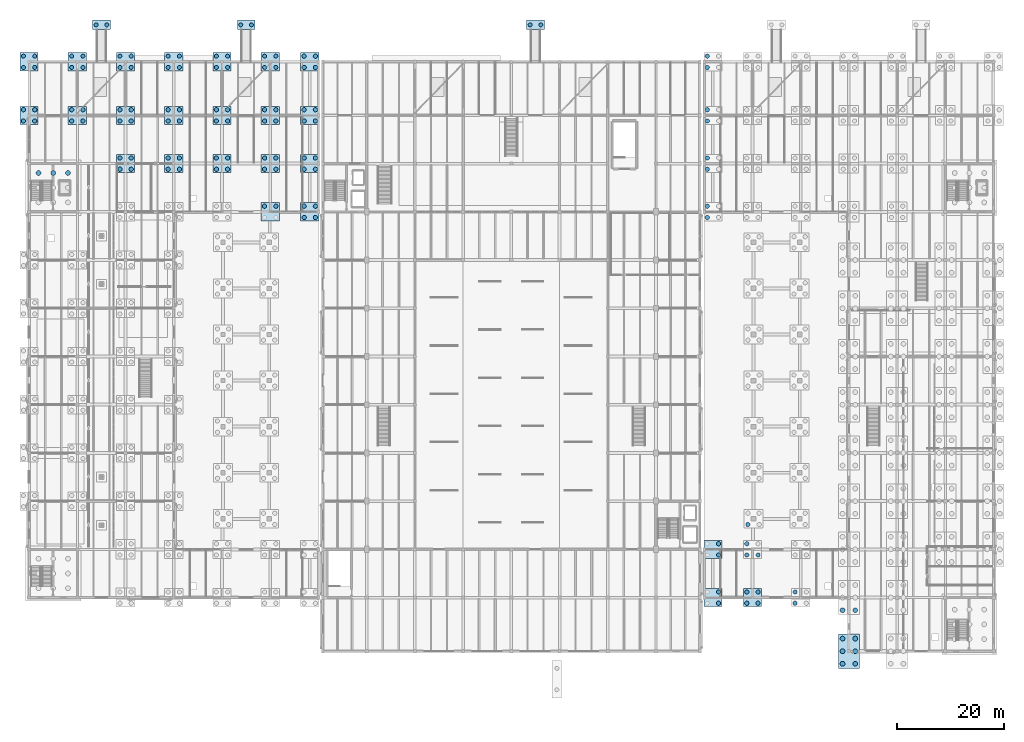
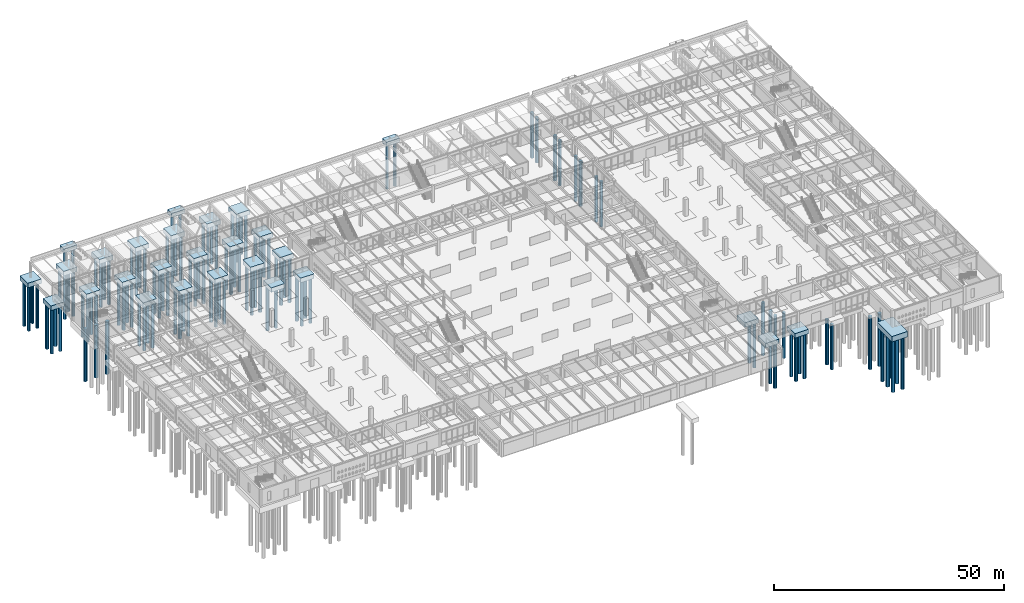
# One storey, part 3 of 186: 121 piles, 28 footings.
"""IFC4 building model written with IfcOpenShell, lengths in metres."""

from ifc_helpers import new_model, si_unit, direction, frame, origin, origin_2d, place, context, subcontext, project, spatial, polyline, circle, outline, extrude, material, layer, layer_set, material_profile, profile_set, type_object, element, save


model = new_model("IFC4")

# Units and contexts
model_context = context("Model", 3, precision=1e-05, world=origin(), true_north=direction((0.0, 1.0)))
body_context = subcontext(model_context, "Body", "Model", "MODEL_VIEW")
ifc_project = project(units=[si_unit("LENGTHUNIT", "METRE"), si_unit("AREAUNIT", "SQUARE_METRE"), si_unit("VOLUMEUNIT", "CUBIC_METRE"), si_unit("PLANEANGLEUNIT", "RADIAN"), si_unit("MASSUNIT", "GRAM", prefix="KILO")], contexts=[model_context])

# Site, building, storey
site_placement = place(None, origin())
site = spatial("IfcSite", under=ifc_project, at=site_placement, CompositionType="ELEMENT")
building_placement = place(site_placement, origin())
building = spatial("IfcBuilding", under=site, at=building_placement, Name="Ornek Quay Market", CompositionType="ELEMENT")
storey_placement = place(building_placement, origin())
storey = spatial("IfcBuildingStorey", under=building, at=storey_placement, Name="L00", CompositionType="ELEMENT", Elevation=0.0)

# Footings
ifc_material = material(Name="Concrete C35/45", Category="concrete")
ifc_layer_1 = layer(ifc_material, 1.10009765625, Name="Concrete C35/45", Category="concrete")
ifc_layer_set_1 = layer_set([ifc_layer_1], Name="Concrete C35/45")
footing_type_1 = type_object("IfcFootingType", Name="FT-PC2-3300x1800x1100", PredefinedType="PILE_CAP", material=ifc_layer_set_1)
footing_1_placement = place(storey_placement, frame((0.0, 0.0, -1.39990234375)))
element("IfcFooting", 1, at=footing_1_placement, inside=storey, type_object=footing_type_1, Name="Ramp abutment cap PRF-01", PredefinedType="PILE_CAP", context=body_context, shape_type="SweptSolid", body=[
    extrude(outline(polyline([(11.85009765625, 126.0), (15.14990234375, 126.0), (15.14990234375, 127.800048828125), (11.85009765625, 127.800048828125), (11.85009765625, 126.0)])), origin(), (0.0, 0.0, 1.0), 1.099853515625),
])
footing_2_placement = place(storey_placement, frame((0.0, 0.0, -1.39990234375)))
element("IfcFooting", 2, at=footing_2_placement, inside=storey, type_object=footing_type_1, Name="Ramp abutment cap PRF-02", PredefinedType="PILE_CAP", context=body_context, shape_type="SweptSolid", body=[
    extrude(outline(polyline([(38.85009765625, 126.0), (42.14990234375, 126.0), (42.14990234375, 127.800048828125), (38.85009765625, 127.800048828125), (38.85009765625, 126.0)])), origin(), (0.0, 0.0, 1.0), 1.099853515625),
])
footing_3_placement = place(storey_placement, frame((0.0, 0.0, -1.39990234375)))
element("IfcFooting", 3, at=footing_3_placement, inside=storey, type_object=footing_type_1, Name="Ramp abutment cap PRF-03", PredefinedType="PILE_CAP", context=body_context, shape_type="SweptSolid", body=[
    extrude(outline(polyline([(92.85009765625, 126.0), (96.14990234375, 126.0), (96.14990234375, 127.800048828125), (92.85009765625, 127.800048828125), (92.85009765625, 126.0)])), origin(), (0.0, 0.0, 1.0), 1.099853515625),
])
ifc_layer_2 = layer(ifc_material, 1.199951171875, Name="Concrete C35/45", Category="concrete")
ifc_layer_set_2 = layer_set([ifc_layer_2], Name="Concrete C35/45")
footing_type_2 = type_object("IfcFootingType", Name="FT-PC4-2800x2800x1200", PredefinedType="PILE_CAP", material=ifc_layer_set_2)
footing_4_placement = place(storey_placement, frame((0.0, 0.0, -1.199951171875)))
element("IfcFooting", 4, at=footing_4_placement, inside=storey, type_object=footing_type_2, Name="Pile cap FC-013", PredefinedType="PILE_CAP", context=body_context, shape_type="SweptSolid", body=[
    extrude(outline(polyline([(-1.699951171875, 108.300048828125), (1.699951171875, 108.300048828125), (1.699951171875, 111.699951171875), (-1.699951171875, 111.699951171875), (-1.699951171875, 108.300048828125)])), origin(), (0.0, 0.0, 1.0), 1.199951171875),
])
footing_5_placement = place(storey_placement, frame((0.0, 0.0, -1.199951171875)))
element("IfcFooting", 5, at=footing_5_placement, inside=storey, type_object=footing_type_2, Name="Pile cap FC-014", PredefinedType="PILE_CAP", context=body_context, shape_type="SweptSolid", body=[
    extrude(outline(polyline([(-1.699951171875, 118.300048828125), (1.699951171875, 118.300048828125), (1.699951171875, 121.699951171875), (-1.699951171875, 121.699951171875), (-1.699951171875, 118.300048828125)])), origin(), (0.0, 0.0, 1.0), 1.199951171875),
])
footing_6_placement = place(storey_placement, frame((0.0, 0.0, -1.199951171875)))
element("IfcFooting", 6, at=footing_6_placement, inside=storey, type_object=footing_type_2, Name="Pile cap FC-021", PredefinedType="PILE_CAP", context=body_context, shape_type="SweptSolid", body=[
    extrude(outline(polyline([(7.300048828125, 108.300048828125), (10.699951171875, 108.300048828125), (10.699951171875, 111.699951171875), (7.300048828125, 111.699951171875), (7.300048828125, 108.300048828125)])), origin(), (0.0, 0.0, 1.0), 1.199951171875),
])
footing_7_placement = place(storey_placement, frame((0.0, 0.0, -1.199951171875)))
element("IfcFooting", 7, at=footing_7_placement, inside=storey, type_object=footing_type_2, Name="Pile cap FC-022", PredefinedType="PILE_CAP", context=body_context, shape_type="SweptSolid", body=[
    extrude(outline(polyline([(7.300048828125, 118.300048828125), (10.699951171875, 118.300048828125), (10.699951171875, 121.699951171875), (7.300048828125, 121.699951171875), (7.300048828125, 118.300048828125)])), origin(), (0.0, 0.0, 1.0), 1.199951171875),
])
footing_8_placement = place(storey_placement, frame((0.0, 0.0, -1.199951171875)))
element("IfcFooting", 8, at=footing_8_placement, inside=storey, type_object=footing_type_2, Name="Pile cap FC-032", PredefinedType="PILE_CAP", context=body_context, shape_type="SweptSolid", body=[
    extrude(outline(polyline([(16.300048828125, 99.300048828125), (19.699951171875, 99.300048828125), (19.699951171875, 102.699951171875), (16.300048828125, 102.699951171875), (16.300048828125, 99.300048828125)])), origin(), (0.0, 0.0, 1.0), 1.199951171875),
])
footing_9_placement = place(storey_placement, frame((0.0, 0.0, -1.199951171875)))
element("IfcFooting", 9, at=footing_9_placement, inside=storey, type_object=footing_type_2, Name="Pile cap FC-033", PredefinedType="PILE_CAP", context=body_context, shape_type="SweptSolid", body=[
    extrude(outline(polyline([(16.300048828125, 108.300048828125), (19.699951171875, 108.300048828125), (19.699951171875, 111.699951171875), (16.300048828125, 111.699951171875), (16.300048828125, 108.300048828125)])), origin(), (0.0, 0.0, 1.0), 1.199951171875),
])
footing_10_placement = place(storey_placement, frame((0.0, 0.0, -1.199951171875)))
element("IfcFooting", 10, at=footing_10_placement, inside=storey, type_object=footing_type_2, Name="Pile cap FC-034", PredefinedType="PILE_CAP", context=body_context, shape_type="SweptSolid", body=[
    extrude(outline(polyline([(16.300048828125, 118.300048828125), (19.699951171875, 118.300048828125), (19.699951171875, 121.699951171875), (16.300048828125, 121.699951171875), (16.300048828125, 118.300048828125)])), origin(), (0.0, 0.0, 1.0), 1.199951171875),
])
footing_11_placement = place(storey_placement, frame((0.0, 0.0, -1.199951171875)))
element("IfcFooting", 11, at=footing_11_placement, inside=storey, type_object=footing_type_2, Name="Pile cap FC-044", PredefinedType="PILE_CAP", context=body_context, shape_type="SweptSolid", body=[
    extrude(outline(polyline([(25.300048828125, 99.300048828125), (28.699951171875, 99.300048828125), (28.699951171875, 102.699951171875), (25.300048828125, 102.699951171875), (25.300048828125, 99.300048828125)])), origin(), (0.0, 0.0, 1.0), 1.199951171875),
])
footing_12_placement = place(storey_placement, frame((0.0, 0.0, -1.199951171875)))
element("IfcFooting", 12, at=footing_12_placement, inside=storey, type_object=footing_type_2, Name="Pile cap FC-045", PredefinedType="PILE_CAP", context=body_context, shape_type="SweptSolid", body=[
    extrude(outline(polyline([(25.300048828125, 108.300048828125), (28.699951171875, 108.300048828125), (28.699951171875, 111.699951171875), (25.300048828125, 111.699951171875), (25.300048828125, 108.300048828125)])), origin(), (0.0, 0.0, 1.0), 1.199951171875),
])
footing_13_placement = place(storey_placement, frame((0.0, 0.0, -1.199951171875)))
element("IfcFooting", 13, at=footing_13_placement, inside=storey, type_object=footing_type_2, Name="Pile cap FC-046", PredefinedType="PILE_CAP", context=body_context, shape_type="SweptSolid", body=[
    extrude(outline(polyline([(25.300048828125, 118.300048828125), (28.699951171875, 118.300048828125), (28.699951171875, 121.699951171875), (25.300048828125, 121.699951171875), (25.300048828125, 118.300048828125)])), origin(), (0.0, 0.0, 1.0), 1.199951171875),
])
footing_14_placement = place(storey_placement, frame((0.0, 0.0, -1.199951171875)))
element("IfcFooting", 14, at=footing_14_placement, inside=storey, type_object=footing_type_2, Name="Pile cap FC-050", PredefinedType="PILE_CAP", context=body_context, shape_type="SweptSolid", body=[
    extrude(outline(polyline([(34.300048828125, 99.300048828125), (37.699951171875, 99.300048828125), (37.699951171875, 102.699951171875), (34.300048828125, 102.699951171875), (34.300048828125, 99.300048828125)])), origin(), (0.0, 0.0, 1.0), 1.199951171875),
])
footing_15_placement = place(storey_placement, frame((0.0, 0.0, -1.199951171875)))
element("IfcFooting", 15, at=footing_15_placement, inside=storey, type_object=footing_type_2, Name="Pile cap FC-051", PredefinedType="PILE_CAP", context=body_context, shape_type="SweptSolid", body=[
    extrude(outline(polyline([(34.300048828125, 108.300048828125), (37.699951171875, 108.300048828125), (37.699951171875, 111.699951171875), (34.300048828125, 111.699951171875), (34.300048828125, 108.300048828125)])), origin(), (0.0, 0.0, 1.0), 1.199951171875),
])
footing_16_placement = place(storey_placement, frame((0.0, 0.0, -1.199951171875)))
element("IfcFooting", 16, at=footing_16_placement, inside=storey, type_object=footing_type_2, Name="Pile cap FC-052", PredefinedType="PILE_CAP", context=body_context, shape_type="SweptSolid", body=[
    extrude(outline(polyline([(34.300048828125, 118.300048828125), (37.699951171875, 118.300048828125), (37.699951171875, 121.699951171875), (34.300048828125, 121.699951171875), (34.300048828125, 118.300048828125)])), origin(), (0.0, 0.0, 1.0), 1.199951171875),
])
footing_17_placement = place(storey_placement, frame((0.0, 0.0, -1.199951171875)))
element("IfcFooting", 17, at=footing_17_placement, inside=storey, type_object=footing_type_2, Name="Pile cap FC-055", PredefinedType="PILE_CAP", context=body_context, shape_type="SweptSolid", body=[
    extrude(outline(polyline([(43.300048828125, 90.300048828125), (46.699951171875, 90.300048828125), (46.699951171875, 93.699951171875), (43.300048828125, 93.699951171875), (43.300048828125, 90.300048828125)])), origin(), (0.0, 0.0, 1.0), 1.199951171875),
])
footing_18_placement = place(storey_placement, frame((0.0, 0.0, -1.199951171875)))
element("IfcFooting", 18, at=footing_18_placement, inside=storey, type_object=footing_type_2, Name="Pile cap FC-056", PredefinedType="PILE_CAP", context=body_context, shape_type="SweptSolid", body=[
    extrude(outline(polyline([(43.300048828125, 99.300048828125), (46.699951171875, 99.300048828125), (46.699951171875, 102.699951171875), (43.300048828125, 102.699951171875), (43.300048828125, 99.300048828125)])), origin(), (0.0, 0.0, 1.0), 1.199951171875),
])
footing_19_placement = place(storey_placement, frame((0.0, 0.0, -1.199951171875)))
element("IfcFooting", 19, at=footing_19_placement, inside=storey, type_object=footing_type_2, Name="Pile cap FC-057", PredefinedType="PILE_CAP", context=body_context, shape_type="SweptSolid", body=[
    extrude(outline(polyline([(43.300048828125, 108.300048828125), (46.699951171875, 108.300048828125), (46.699951171875, 111.699951171875), (43.300048828125, 111.699951171875), (43.300048828125, 108.300048828125)])), origin(), (0.0, 0.0, 1.0), 1.199951171875),
])
footing_20_placement = place(storey_placement, frame((0.0, 0.0, -1.199951171875)))
element("IfcFooting", 20, at=footing_20_placement, inside=storey, type_object=footing_type_2, Name="Pile cap FC-058", PredefinedType="PILE_CAP", context=body_context, shape_type="SweptSolid", body=[
    extrude(outline(polyline([(43.300048828125, 118.300048828125), (46.699951171875, 118.300048828125), (46.699951171875, 121.699951171875), (43.300048828125, 121.699951171875), (43.300048828125, 118.300048828125)])), origin(), (0.0, 0.0, 1.0), 1.199951171875),
])
footing_21_placement = place(storey_placement, frame((0.0, 0.0, -1.199951171875)))
element("IfcFooting", 21, at=footing_21_placement, inside=storey, type_object=footing_type_2, Name="Pile cap FC-061", PredefinedType="PILE_CAP", context=body_context, shape_type="SweptSolid", body=[
    extrude(outline(polyline([(50.679931640625, 90.300048828125), (54.080078125, 90.300048828125), (54.080078125, 93.699951171875), (50.679931640625, 93.699951171875), (50.679931640625, 90.300048828125)])), origin(), (0.0, 0.0, 1.0), 1.199951171875),
])
footing_22_placement = place(storey_placement, frame((0.0, 0.0, -1.199951171875)))
element("IfcFooting", 22, at=footing_22_placement, inside=storey, type_object=footing_type_2, Name="Pile cap FC-062", PredefinedType="PILE_CAP", context=body_context, shape_type="SweptSolid", body=[
    extrude(outline(polyline([(50.679931640625, 99.300048828125), (54.080078125, 99.300048828125), (54.080078125, 102.699951171875), (50.679931640625, 102.699951171875), (50.679931640625, 99.300048828125)])), origin(), (0.0, 0.0, 1.0), 1.199951171875),
])
footing_23_placement = place(storey_placement, frame((0.0, 0.0, -1.199951171875)))
element("IfcFooting", 23, at=footing_23_placement, inside=storey, type_object=footing_type_2, Name="Pile cap FC-063", PredefinedType="PILE_CAP", context=body_context, shape_type="SweptSolid", body=[
    extrude(outline(polyline([(50.679931640625, 108.300048828125), (54.080078125, 108.300048828125), (54.080078125, 111.699951171875), (50.679931640625, 111.699951171875), (50.679931640625, 108.300048828125)])), origin(), (0.0, 0.0, 1.0), 1.199951171875),
])
footing_24_placement = place(storey_placement, frame((0.0, 0.0, -1.199951171875)))
element("IfcFooting", 24, at=footing_24_placement, inside=storey, type_object=footing_type_2, Name="Pile cap FC-064", PredefinedType="PILE_CAP", context=body_context, shape_type="SweptSolid", body=[
    extrude(outline(polyline([(50.679931640625, 118.300048828125), (54.080078125, 118.300048828125), (54.080078125, 121.699951171875), (50.679931640625, 121.699951171875), (50.679931640625, 118.300048828125)])), origin(), (0.0, 0.0, 1.0), 1.199951171875),
])
footing_25_placement = place(storey_placement, frame((0.0, 0.0, -1.199951171875)))
element("IfcFooting", 25, at=footing_25_placement, inside=storey, type_object=footing_type_2, Name="Pile cap FC-174", PredefinedType="PILE_CAP", context=body_context, shape_type="SweptSolid", body=[
    extrude(outline(polyline([(125.919921875, 18.300048828125), (129.320068359375, 18.300048828125), (129.320068359375, 21.699951171875), (125.919921875, 21.699951171875), (125.919921875, 18.300048828125)])), origin(), (0.0, 0.0, 1.0), 1.199951171875),
])
footing_26_placement = place(storey_placement, frame((0.0, 0.0, -1.199951171875)))
element("IfcFooting", 26, at=footing_26_placement, inside=storey, type_object=footing_type_2, Name="Pile cap FC-175", PredefinedType="PILE_CAP", context=body_context, shape_type="SweptSolid", body=[
    extrude(outline(polyline([(125.919921875, 27.300048828125), (129.320068359375, 27.300048828125), (129.320068359375, 30.699951171875), (125.919921875, 30.699951171875), (125.919921875, 27.300048828125)])), origin(), (0.0, 0.0, 1.0), 1.199951171875),
])
footing_27_placement = place(storey_placement, frame((0.0, 0.0, -1.199951171875)))
element("IfcFooting", 27, at=footing_27_placement, inside=storey, type_object=footing_type_2, Name="Pile cap FC-180", PredefinedType="PILE_CAP", context=body_context, shape_type="SweptSolid", body=[
    extrude(outline(polyline([(133.300048828125, 18.300048828125), (136.699951171875, 18.300048828125), (136.699951171875, 21.699951171875), (133.300048828125, 21.699951171875), (133.300048828125, 18.300048828125)])), origin(), (0.0, 0.0, 1.0), 1.199951171875),
])
ifc_layer_3 = layer(ifc_material, 1.449951171875, Name="Concrete C35/45", Category="concrete")
ifc_layer_set_3 = layer_set([ifc_layer_3], Name="Concrete C35/45")
footing_type_3 = type_object("IfcFootingType", Name="FT-PC6-3200x4600x1450", PredefinedType="PILE_CAP", material=ifc_layer_set_3)
footing_28_placement = place(storey_placement, frame((0.0, 0.0, -1.449951171875)))
element("IfcFooting", 28, at=footing_28_placement, inside=storey, type_object=footing_type_3, Name="Pile cap FC-192", PredefinedType="PILE_CAP", context=body_context, shape_type="SweptSolid", body=[
    extrude(outline(polyline([(151.050048828125, 6.800048828125), (154.949951171875, 6.800048828125), (154.949951171875, 13.199951171875), (151.050048828125, 13.199951171875), (151.050048828125, 6.800048828125)])), origin(), (0.0, 0.0, 1.0), 1.449951171875),
])

# Piles
ifc_material_profile_1 = material_profile(ifc_material, circle(Radius=0.39990234375, at=origin_2d()), Name="PILE D800", Category="concrete")
ifc_profile_set_1 = profile_set([ifc_material_profile_1], Name="Concrete C35/45")
pile_type_1 = type_object("IfcPileType", Name="PL-BOR-D800-L12", PredefinedType="BORED", material=ifc_profile_set_1)
for number, where, z_axis, x_axis, name in (
    (29, (-1.050048828125, 108.949951171875, -1.10009765625), (0.0, 0.0, -1.0), (1.0, 0.0, 0.0), "Bored pile P-0079"),
    (30, (1.050048828125, 108.949951171875, -1.10009765625), (0.0, 0.0, -1.0), (1.0, 0.0, 0.0), "Bored pile P-0080"),
    (31, (-1.050048828125, 111.050048828125, -1.10009765625), (0.0, 0.0, -1.0), (1.0, 0.0, 0.0), "Bored pile P-0081"),
    (32, (1.050048828125, 111.050048828125, -1.10009765625), (0.0, 0.0, -1.0), (1.0, 0.0, 0.0), "Bored pile P-0082"),
    (33, (7.949951171875, 108.949951171875, -1.10009765625), (0.0, 0.0, -1.0), (1.0, 0.0, 0.0), "Bored pile P-0111"),
    (34, (10.050048828125, 108.949951171875, -1.10009765625), (0.0, 0.0, -1.0), (1.0, 0.0, 0.0), "Bored pile P-0112"),
    (35, (7.949951171875, 111.050048828125, -1.10009765625), (0.0, 0.0, -1.0), (1.0, 0.0, 0.0), "Bored pile P-0113"),
    (36, (10.050048828125, 111.050048828125, -1.10009765625), (0.0, 0.0, -1.0), (1.0, 0.0, 0.0), "Bored pile P-0114"),
    (37, (16.949951171875, 99.949951171875, -1.10009765625), (0.0, 0.0, -1.0), (1.0, 0.0, 0.0), "Bored pile P-0155"),
    (38, (19.050048828125, 99.949951171875, -1.10009765625), (0.0, 0.0, -1.0), (1.0, 0.0, 0.0), "Bored pile P-0156"),
    (39, (16.949951171875, 102.050048828125, -1.10009765625), (0.0, 0.0, -1.0), (1.0, 0.0, 0.0), "Bored pile P-0157"),
    (40, (19.050048828125, 102.050048828125, -1.10009765625), (0.0, 0.0, -1.0), (1.0, 0.0, 0.0), "Bored pile P-0158"),
    (41, (16.949951171875, 108.949951171875, -1.10009765625), (0.0, 0.0, -1.0), (1.0, 0.0, 0.0), "Bored pile P-0159"),
    (42, (19.050048828125, 108.949951171875, -1.10009765625), (0.0, 0.0, -1.0), (1.0, 0.0, 0.0), "Bored pile P-0160"),
    (43, (16.949951171875, 111.050048828125, -1.10009765625), (0.0, 0.0, -1.0), (1.0, 0.0, 0.0), "Bored pile P-0161"),
    (44, (19.050048828125, 111.050048828125, -1.10009765625), (0.0, 0.0, -1.0), (1.0, 0.0, 0.0), "Bored pile P-0162"),
    (45, (25.949951171875, 99.949951171875, -1.10009765625), (0.0, 0.0, -1.0), (1.0, 0.0, 0.0), "Bored pile P-0203"),
    (46, (28.050048828125, 99.949951171875, -1.10009765625), (0.0, 0.0, -1.0), (1.0, 0.0, 0.0), "Bored pile P-0204"),
    (47, (25.949951171875, 102.050048828125, -1.10009765625), (0.0, 0.0, -1.0), (1.0, 0.0, 0.0), "Bored pile P-0205"),
    (48, (28.050048828125, 102.050048828125, -1.10009765625), (0.0, 0.0, -1.0), (1.0, 0.0, 0.0), "Bored pile P-0206"),
    (49, (25.949951171875, 108.949951171875, -1.10009765625), (0.0, 0.0, -1.0), (1.0, 0.0, 0.0), "Bored pile P-0207"),
    (50, (28.050048828125, 108.949951171875, -1.10009765625), (0.0, 0.0, -1.0), (1.0, 0.0, 0.0), "Bored pile P-0208"),
    (51, (25.949951171875, 111.050048828125, -1.10009765625), (0.0, 0.0, -1.0), (1.0, 0.0, 0.0), "Bored pile P-0209"),
    (52, (28.050048828125, 111.050048828125, -1.10009765625), (0.0, 0.0, -1.0), (1.0, 0.0, 0.0), "Bored pile P-0210"),
    (53, (34.949951171875, 99.949951171875, -1.10009765625), (0.0, 0.0, -1.0), (1.0, 0.0, 0.0), "Bored pile P-0227"),
    (54, (37.050048828125, 99.949951171875, -1.10009765625), (0.0, 0.0, -1.0), (1.0, 0.0, 0.0), "Bored pile P-0228"),
    (55, (34.949951171875, 102.050048828125, -1.10009765625), (0.0, 0.0, -1.0), (1.0, 0.0, 0.0), "Bored pile P-0229"),
    (56, (37.050048828125, 102.050048828125, -1.10009765625), (0.0, 0.0, -1.0), (1.0, 0.0, 0.0), "Bored pile P-0230"),
    (57, (34.949951171875, 108.949951171875, -1.10009765625), (0.0, 0.0, -1.0), (1.0, 0.0, 0.0), "Bored pile P-0231"),
    (58, (37.050048828125, 108.949951171875, -1.10009765625), (0.0, 0.0, -1.0), (1.0, 0.0, 0.0), "Bored pile P-0232"),
    (59, (34.949951171875, 111.050048828125, -1.10009765625), (0.0, 0.0, -1.0), (1.0, 0.0, 0.0), "Bored pile P-0233"),
    (60, (37.050048828125, 111.050048828125, -1.10009765625), (0.0, 0.0, -1.0), (1.0, 0.0, 0.0), "Bored pile P-0234"),
    (61, (43.949951171875, 93.050048828125, -1.10009765625), (0.0, 0.0, -1.0), (1.0, 0.0, 0.0), "Bored pile P-0249"),
    (62, (46.050048828125, 93.050048828125, -1.10009765625), (0.0, 0.0, -1.0), (1.0, 0.0, 0.0), "Bored pile P-0250"),
    (63, (43.949951171875, 99.949951171875, -1.10009765625), (0.0, 0.0, -1.0), (1.0, 0.0, 0.0), "Bored pile P-0251"),
    (64, (46.050048828125, 99.949951171875, -1.10009765625), (0.0, 0.0, -1.0), (1.0, 0.0, 0.0), "Bored pile P-0252"),
    (65, (43.949951171875, 102.050048828125, -1.10009765625), (0.0, 0.0, -1.0), (1.0, 0.0, 0.0), "Bored pile P-0253"),
    (66, (46.050048828125, 102.050048828125, -1.10009765625), (0.0, 0.0, -1.0), (1.0, 0.0, 0.0), "Bored pile P-0254"),
    (67, (43.949951171875, 108.949951171875, -1.10009765625), (0.0, 0.0, -1.0), (1.0, 0.0, 0.0), "Bored pile P-0255"),
    (68, (46.050048828125, 108.949951171875, -1.10009765625), (0.0, 0.0, -1.0), (1.0, 0.0, 0.0), "Bored pile P-0256"),
    (69, (43.949951171875, 111.050048828125, -1.10009765625), (0.0, 0.0, -1.0), (1.0, 0.0, 0.0), "Bored pile P-0257"),
    (70, (46.050048828125, 111.050048828125, -1.10009765625), (0.0, 0.0, -1.0), (1.0, 0.0, 0.0), "Bored pile P-0258"),
    (71, (51.330078125, 90.949951171875, -1.10009765625), (0.0, 0.0, -1.0), (1.0, 0.0, 0.0), "Bored pile P-0271"),
    (72, (53.429931640625, 90.949951171875, -1.10009765625), (0.0, 0.0, -1.0), (1.0, 0.0, 0.0), "Bored pile P-0272"),
    (73, (51.330078125, 93.050048828125, -1.10009765625), (0.0, 0.0, -1.0), (1.0, 0.0, 0.0), "Bored pile P-0273"),
    (74, (53.429931640625, 93.050048828125, -1.10009765625), (0.0, 0.0, -1.0), (1.0, 0.0, 0.0), "Bored pile P-0274"),
    (75, (51.330078125, 99.949951171875, -1.10009765625), (0.0, 0.0, -1.0), (1.0, 0.0, 0.0), "Bored pile P-0275"),
    (76, (53.429931640625, 99.949951171875, -1.10009765625), (0.0, 0.0, -1.0), (1.0, 0.0, 0.0), "Bored pile P-0276"),
    (77, (51.330078125, 102.050048828125, -1.10009765625), (0.0, 0.0, -1.0), (1.0, 0.0, 0.0), "Bored pile P-0277"),
    (78, (53.429931640625, 102.050048828125, -1.10009765625), (0.0, 0.0, -1.0), (1.0, 0.0, 0.0), "Bored pile P-0278"),
    (79, (51.330078125, 108.949951171875, -1.10009765625), (0.0, 0.0, -1.0), (1.0, 0.0, 0.0), "Bored pile P-0279"),
    (80, (53.429931640625, 108.949951171875, -1.10009765625), (0.0, 0.0, -1.0), (1.0, 0.0, 0.0), "Bored pile P-0280"),
    (81, (51.330078125, 111.050048828125, -1.10009765625), (0.0, 0.0, -1.0), (1.0, 0.0, 0.0), "Bored pile P-0281"),
    (82, (53.429931640625, 111.050048828125, -1.10009765625), (0.0, 0.0, -1.0), (1.0, 0.0, 0.0), "Bored pile P-0282"),
    (83, (51.330078125, 118.949951171875, -1.10009765625), (0.0, 0.0, -1.0), (1.0, 0.0, 0.0), "Bored pile P-0283"),
    (84, (53.429931640625, 118.949951171875, -1.10009765625), (0.0, 0.0, -1.0), (1.0, 0.0, 0.0), "Bored pile P-0284"),
    (85, (51.330078125, 121.050048828125, -1.10009765625), (0.0, 0.0, -1.0), (1.0, 0.0, 0.0), "Bored pile P-0285"),
    (86, (53.429931640625, 121.050048828125, -1.10009765625), (0.0, 0.0, -1.0), (1.0, 0.0, 0.0), "Bored pile P-0286"),
    (87, (128.669921875, 18.949951171875, -1.10009765625), (0.0, 0.0, -1.0), (1.0, 0.0, 0.0), "Bored pile P-0764"),
    (88, (128.669921875, 21.050048828125, -1.10009765625), (0.0, 0.0, -1.0), (1.0, 0.0, 0.0), "Bored pile P-0766"),
    (89, (128.669921875, 27.949951171875, -1.10009765625), (0.0, 0.0, -1.0), (1.0, 0.0, 0.0), "Bored pile P-0768"),
    (90, (128.669921875, 30.050048828125, -1.10009765625), (0.0, 0.0, -1.0), (1.0, 0.0, 0.0), "Bored pile P-0770"),
    (91, (126.570068359375, 90.949951171875, -1.10009765625), (0.0, 0.0, -1.0), (1.0, 0.0, 0.0), "Bored pile P-0771"),
    (92, (126.570068359375, 93.050048828125, -1.10009765625), (0.0, 0.0, -1.0), (1.0, 0.0, 0.0), "Bored pile P-0773"),
    (93, (126.570068359375, 99.949951171875, -1.10009765625), (0.0, 0.0, -1.0), (1.0, 0.0, 0.0), "Bored pile P-0775"),
    (94, (126.570068359375, 102.050048828125, -1.10009765625), (0.0, 0.0, -1.0), (1.0, 0.0, 0.0), "Bored pile P-0777"),
    (95, (126.570068359375, 108.949951171875, -1.10009765625), (0.0, 0.0, -1.0), (1.0, 0.0, 0.0), "Bored pile P-0779"),
    (96, (126.570068359375, 111.050048828125, -1.10009765625), (0.0, 0.0, -1.0), (1.0, 0.0, 0.0), "Bored pile P-0781"),
    (97, (126.570068359375, 118.949951171875, -1.10009765625), (0.0, 0.0, -1.0), (1.0, 0.0, 0.0), "Bored pile P-0783"),
    (98, (126.570068359375, 121.050048828125, -1.10009765625), (0.0, 0.0, -1.0), (1.0, 0.0, 0.0), "Bored pile P-0785"),
    (99, (133.949951171875, 18.949951171875, -1.10009765625), (0.0, 0.0, -1.0), (1.0, 0.0, 0.0), "Bored pile P-0787"),
    (100, (136.050048828125, 18.949951171875, -1.10009765625), (0.0, 0.0, -1.0), (1.0, 0.0, 0.0), "Bored pile P-0788"),
    (101, (133.949951171875, 21.050048828125, -1.10009765625), (0.0, 0.0, -1.0), (1.0, 0.0, 0.0), "Bored pile P-0789"),
    (102, (136.050048828125, 21.050048828125, -1.10009765625), (0.0, 0.0, -1.0), (1.0, 0.0, 0.0), "Bored pile P-0790"),
    (103, (133.949951171875, 27.949951171875, -1.10009765625), (0.0, 0.0, -1.0), (1.0, 0.0, 0.0), "Bored pile P-0791"),
    (104, (136.050048828125, 27.949951171875, -1.10009765625), (0.0, 0.0, -1.0), (1.0, 0.0, 0.0), "Bored pile P-0792"),
    (105, (133.949951171875, 30.050048828125, -1.10009765625), (0.0, 0.0, -1.0), (1.0, 0.0, 0.0), "Bored pile P-0793"),
    (106, (142.949951171875, 18.949951171875, -1.10009765625), (0.0, 0.0, -1.0), (1.0, 0.0, 0.0), "Bored pile P-0811"),
    (107, (142.949951171875, 21.050048828125, -1.10009765625), (0.0, 0.0, -1.0), (1.0, 0.0, 0.0), "Bored pile P-0813"),
):
    element("IfcPile", number, at=place(storey_placement, frame(where, z_axis=z_axis, x_axis=x_axis)), inside=storey, type_object=pile_type_1, Name=name, PredefinedType="BORED", context=body_context, shape_type="SweptSolid", body=[
        extrude(circle(Radius=0.39990234375, at=origin_2d()), origin(), (0.0, 0.0, 1.0), 12.0),
    ])
ifc_material_profile_2 = material_profile(ifc_material, circle(Radius=0.39990234375, at=origin_2d()), Name="PILE D800", Category="concrete")
ifc_profile_set_2 = profile_set([ifc_material_profile_2], Name="Concrete C35/45")
pile_type_2 = type_object("IfcPileType", Name="PL-BOR-D800-L14", PredefinedType="BORED", material=ifc_profile_set_2)
pile_placement = place(storey_placement, frame((134.14990234375, 33.64990234375, -1.199951171875), z_axis=(0.0, 0.0, -1.0), x_axis=(1.0, 0.0, 0.0)))
element("IfcPile", 108, at=pile_placement, inside=storey, type_object=pile_type_2, Name="Bored pile P-1131", PredefinedType="BORED", context=body_context, shape_type="SweptSolid", body=[
    extrude(circle(Radius=0.39990234375, at=origin_2d()), origin(), (0.0, 0.0, 1.0), 14.0),
])
ifc_material_profile_3 = material_profile(ifc_material, circle(Radius=0.449951171875, at=origin_2d()), Name="PILE D900", Category="concrete")
ifc_profile_set_3 = profile_set([ifc_material_profile_3], Name="Concrete C35/45")
pile_type_3 = type_object("IfcPileType", Name="PL-BOR-D900-L14", PredefinedType="BORED", material=ifc_profile_set_3)
for number, where, z_axis, x_axis, name in (
    (109, (1.75, 99.25, -1.5), (0.0, 0.0, -1.0), (1.0, 0.0, 0.0), "Bored pile P-0003"),
    (110, (4.5, 99.25, -1.5), (0.0, 0.0, -1.0), (1.0, 0.0, 0.0), "Bored pile P-0006"),
    (111, (7.25, 99.25, -1.5), (0.0, 0.0, -1.0), (1.0, 0.0, 0.0), "Bored pile P-0009"),
    (112, (151.820068359375, 7.64990234375, -1.35009765625), (0.0, 0.0, -1.0), (1.0, 0.0, 0.0), "Bored pile P-0835"),
    (113, (154.179931640625, 7.64990234375, -1.35009765625), (0.0, 0.0, -1.0), (1.0, 0.0, 0.0), "Bored pile P-0836"),
    (114, (151.820068359375, 10.0, -1.35009765625), (0.0, 0.0, -1.0), (1.0, 0.0, 0.0), "Bored pile P-0837"),
    (115, (154.179931640625, 10.0, -1.35009765625), (0.0, 0.0, -1.0), (1.0, 0.0, 0.0), "Bored pile P-0838"),
    (116, (151.820068359375, 12.35009765625, -1.35009765625), (0.0, 0.0, -1.0), (1.0, 0.0, 0.0), "Bored pile P-0839"),
    (117, (154.179931640625, 12.35009765625, -1.35009765625), (0.0, 0.0, -1.0), (1.0, 0.0, 0.0), "Bored pile P-0840"),
    (118, (151.820068359375, 17.64990234375, -1.35009765625), (0.0, 0.0, -1.0), (1.0, 0.0, 0.0), "Bored pile P-0841"),
    (119, (154.179931640625, 17.64990234375, -1.35009765625), (0.0, 0.0, -1.0), (1.0, 0.0, 0.0), "Bored pile P-0842"),
):
    element("IfcPile", number, at=place(storey_placement, frame(where, z_axis=z_axis, x_axis=x_axis)), inside=storey, type_object=pile_type_3, Name=name, PredefinedType="BORED", context=body_context, shape_type="SweptSolid", body=[
        extrude(circle(Radius=0.449951171875, at=origin_2d()), origin(), (0.0, 0.0, 1.0), 14.0),
    ])
ifc_material_profile_4 = material_profile(ifc_material, circle(Radius=0.375, at=origin_2d()), Name="PILE D750", Category="concrete")
ifc_profile_set_4 = profile_set([ifc_material_profile_4], Name="Concrete C35/45")
pile_type_4 = type_object("IfcPileType", Name="PL-SUP-D750-L12", PredefinedType="SUPPORT", material=ifc_profile_set_4)
for number, where, z_axis, x_axis, name in (
    (120, (-1.050048828125, 118.949951171875, -1.10009765625), (0.0, 0.0, -1.0), (1.0, 0.0, 0.0), "Bored pile P-0083"),
    (121, (1.050048828125, 118.949951171875, -1.10009765625), (0.0, 0.0, -1.0), (1.0, 0.0, 0.0), "Bored pile P-0084"),
    (122, (-1.050048828125, 121.050048828125, -1.10009765625), (0.0, 0.0, -1.0), (1.0, 0.0, 0.0), "Bored pile P-0085"),
    (123, (1.050048828125, 121.050048828125, -1.10009765625), (0.0, 0.0, -1.0), (1.0, 0.0, 0.0), "Bored pile P-0086"),
    (124, (7.949951171875, 118.949951171875, -1.10009765625), (0.0, 0.0, -1.0), (1.0, 0.0, 0.0), "Bored pile P-0115"),
    (125, (10.050048828125, 118.949951171875, -1.10009765625), (0.0, 0.0, -1.0), (1.0, 0.0, 0.0), "Bored pile P-0116"),
    (126, (7.949951171875, 121.050048828125, -1.10009765625), (0.0, 0.0, -1.0), (1.0, 0.0, 0.0), "Bored pile P-0117"),
    (127, (10.050048828125, 121.050048828125, -1.10009765625), (0.0, 0.0, -1.0), (1.0, 0.0, 0.0), "Bored pile P-0118"),
    (128, (16.949951171875, 118.949951171875, -1.10009765625), (0.0, 0.0, -1.0), (1.0, 0.0, 0.0), "Bored pile P-0163"),
    (129, (19.050048828125, 118.949951171875, -1.10009765625), (0.0, 0.0, -1.0), (1.0, 0.0, 0.0), "Bored pile P-0164"),
    (130, (16.949951171875, 121.050048828125, -1.10009765625), (0.0, 0.0, -1.0), (1.0, 0.0, 0.0), "Bored pile P-0165"),
    (131, (19.050048828125, 121.050048828125, -1.10009765625), (0.0, 0.0, -1.0), (1.0, 0.0, 0.0), "Bored pile P-0166"),
    (132, (25.949951171875, 118.949951171875, -1.10009765625), (0.0, 0.0, -1.0), (1.0, 0.0, 0.0), "Bored pile P-0211"),
    (133, (28.050048828125, 118.949951171875, -1.10009765625), (0.0, 0.0, -1.0), (1.0, 0.0, 0.0), "Bored pile P-0212"),
    (134, (25.949951171875, 121.050048828125, -1.10009765625), (0.0, 0.0, -1.0), (1.0, 0.0, 0.0), "Bored pile P-0213"),
    (135, (28.050048828125, 121.050048828125, -1.10009765625), (0.0, 0.0, -1.0), (1.0, 0.0, 0.0), "Bored pile P-0214"),
    (136, (34.949951171875, 118.949951171875, -1.10009765625), (0.0, 0.0, -1.0), (1.0, 0.0, 0.0), "Bored pile P-0235"),
    (137, (37.050048828125, 118.949951171875, -1.10009765625), (0.0, 0.0, -1.0), (1.0, 0.0, 0.0), "Bored pile P-0236"),
    (138, (34.949951171875, 121.050048828125, -1.10009765625), (0.0, 0.0, -1.0), (1.0, 0.0, 0.0), "Bored pile P-0237"),
    (139, (37.050048828125, 121.050048828125, -1.10009765625), (0.0, 0.0, -1.0), (1.0, 0.0, 0.0), "Bored pile P-0238"),
    (140, (43.949951171875, 118.949951171875, -1.10009765625), (0.0, 0.0, -1.0), (1.0, 0.0, 0.0), "Bored pile P-0259"),
    (141, (46.050048828125, 118.949951171875, -1.10009765625), (0.0, 0.0, -1.0), (1.0, 0.0, 0.0), "Bored pile P-0260"),
    (142, (43.949951171875, 121.050048828125, -1.10009765625), (0.0, 0.0, -1.0), (1.0, 0.0, 0.0), "Bored pile P-0261"),
    (143, (46.050048828125, 121.050048828125, -1.10009765625), (0.0, 0.0, -1.0), (1.0, 0.0, 0.0), "Bored pile P-0262"),
    (144, (12.5, 126.89990234375, -1.300048828125), (0.0, 0.0, -1.0), (1.0, 0.0, 0.0), "Bored pile P-1187"),
    (145, (14.5, 126.89990234375, -1.300048828125), (0.0, 0.0, -1.0), (1.0, 0.0, 0.0), "Bored pile P-1188"),
    (146, (39.5, 126.89990234375, -1.300048828125), (0.0, 0.0, -1.0), (1.0, 0.0, 0.0), "Bored pile P-1189"),
    (147, (41.5, 126.89990234375, -1.300048828125), (0.0, 0.0, -1.0), (1.0, 0.0, 0.0), "Bored pile P-1190"),
    (148, (93.5, 126.89990234375, -1.300048828125), (0.0, 0.0, -1.0), (1.0, 0.0, 0.0), "Bored pile P-1191"),
    (149, (95.5, 126.89990234375, -1.300048828125), (0.0, 0.0, -1.0), (1.0, 0.0, 0.0), "Bored pile P-1192"),
):
    element("IfcPile", number, at=place(storey_placement, frame(where, z_axis=z_axis, x_axis=x_axis)), inside=storey, type_object=pile_type_4, Name=name, PredefinedType="SUPPORT", context=body_context, shape_type="SweptSolid", body=[
        extrude(circle(Radius=0.375, at=origin_2d()), origin(), (0.0, 0.0, 1.0), 12.0),
    ])

save(model, "model.ifc")
